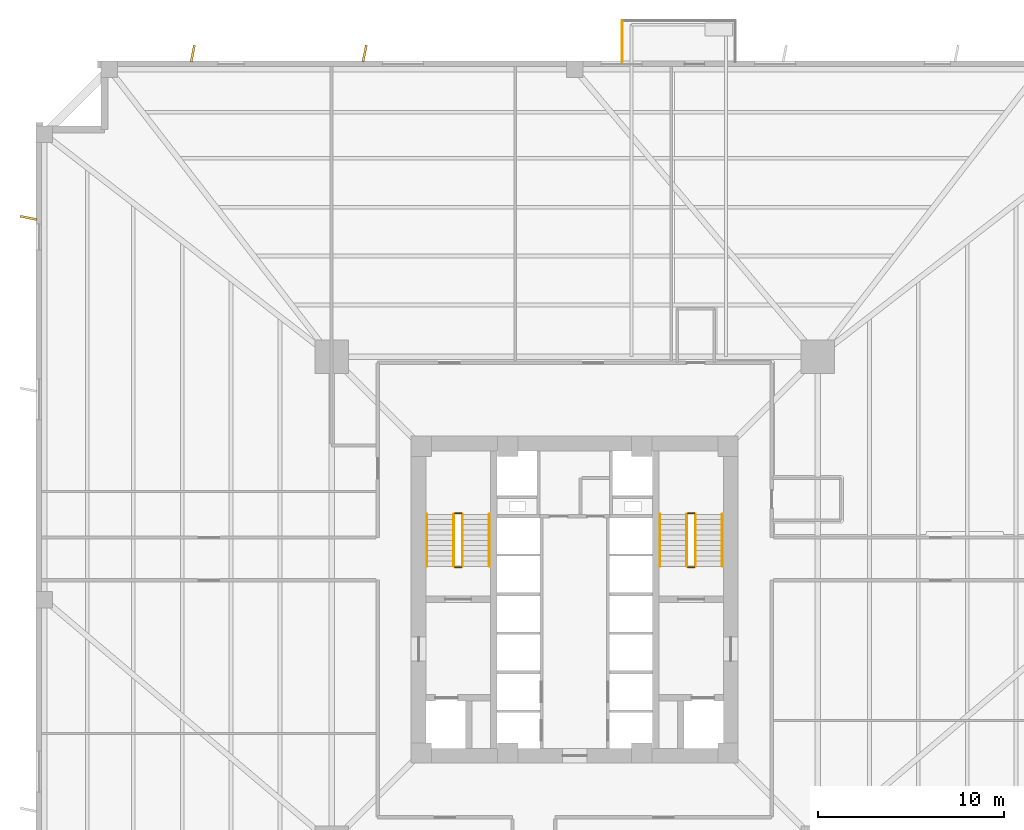
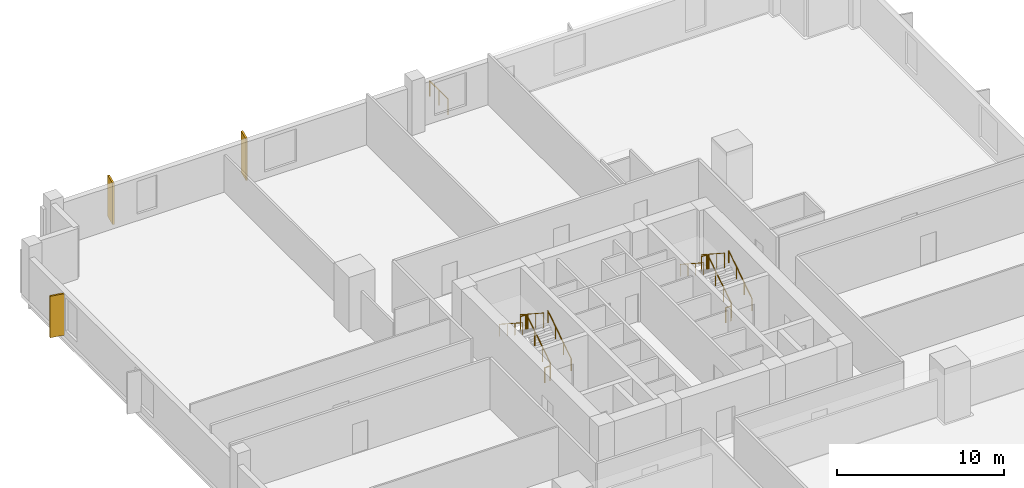
# One storey, part 7 of 8: 13 railings, 3 coverings.
"""IFC4 building model written with IfcOpenShell, lengths in metres."""

from ifc_helpers import new_model, si_unit, direction, frame, origin, origin_2d, place, context, subcontext, project, spatial, rectangle, circle, extrude, source, transform, mapped, material, layer, layer_set, type_object, element, save


model = new_model("IFC4")

# Units and contexts
model_context = context("Model", 3, precision=1e-05, world=origin(), true_north=direction((0.0, 1.0)))
body_context = subcontext(model_context, "Body", "Model", "MODEL_VIEW")
ifc_project = project(units=[si_unit("LENGTHUNIT", "METRE"), si_unit("AREAUNIT", "SQUARE_METRE"), si_unit("VOLUMEUNIT", "CUBIC_METRE"), si_unit("PLANEANGLEUNIT", "RADIAN"), si_unit("MASSUNIT", "GRAM", prefix="KILO"), si_unit("THERMODYNAMICTEMPERATUREUNIT", "KELVIN")], contexts=[model_context])

# Site, building, storey
site_placement = place(None, origin())
site = spatial("IfcSite", under=ifc_project, at=site_placement, CompositionType="ELEMENT")
building_placement = place(site_placement, origin())
building = spatial("IfcBuilding", under=site, at=building_placement, Name="Kosmvard Interchange Tower", CompositionType="ELEMENT")
storey_placement = place(building_placement, frame((0.0, 0.0, 66.0)))
storey = spatial("IfcBuildingStorey", under=building, at=storey_placement, Name="L15", CompositionType="ELEMENT", Elevation=66.0)

# Railing
ifc_material_1 = material(Name="Steel S355", Category="steel")
railing_type_1 = type_object("IfcRailingType", Name="Observation & Balcony Glass-Infill Balustrade 1150", PredefinedType="BALUSTRADE", material=ifc_material_1)
shared_shape_1 = source(origin(), body_context, "Body", "SweptSolid", [
    extrude(circle(Radius=0.02392578125, at=origin_2d()), frame((0.0, 0.0, 1.1259765625), z_axis=(0.0, -1.0, 0.0), x_axis=(1.0, 0.0, 0.0)), (0.0, 0.0, 1.0), 2.199951171875),
    extrude(circle(Radius=0.02099609375, at=origin_2d()), origin(), (0.0, 0.0, 1.0), 1.101806640625),
    extrude(circle(Radius=0.02099609375, at=origin_2d()), frame((0.0, -1.10009765625, 0.0)), (0.0, 0.0, 1.0), 1.101806640625),
    extrude(circle(Radius=0.02099609375, at=origin_2d()), frame((0.0, -2.199951171875, 0.0)), (0.0, 0.0, 1.0), 1.101806640625),
])
railing_placement = place(storey_placement, frame((2.550048828125, 31.14990234375, 0.0)))
element("IfcRailing", 1, at=railing_placement, inside=storey, type_object=railing_type_1, Name="L15 Outdoor Terrace Guard BAL-L15-N-C", PredefinedType="BALUSTRADE", context=body_context, shape_type="MappedRepresentation", body=[
    mapped(shared_shape_1, transform((0.0, 0.0, 0.0), scale=1.0)),
])

# Coverings
ifc_material_2 = material(Name="Architectural anodised aluminium", Category="aluminium")
ifc_layer = layer(ifc_material_2, 0.1201171875, Name="Architectural anodised aluminium")
ifc_layer_set = layer_set([ifc_layer], Name="Architectural anodised aluminium")
covering_type = type_object("IfcCoveringType", Name="Rotating Vertical Sun-Breaker Fin 900x120 Aluminium", PredefinedType="CLADDING", material=ifc_layer_set)
shared_shape_2 = source(origin(), body_context, "Body", "SweptSolid", [
    extrude(rectangle(XDim=0.89990234375, YDim=0.1201171875, at=origin_2d()), origin(), (0.0, 0.0, 1.0), 3.0400390625),
])
for number, where, z_axis, x_axis, name in (
    (2, (-11.3037109375, 29.39990234375, 0.0400390625), (0.0, 0.0, 1.0), (0.199196902256, 0.979959485964, 0.0), "L15 Rotating Vertical Sun-Breaker Fin 11"),
    (3, (-20.552001953125, 29.39990234375, 0.0400390625), (0.0, 0.0, 1.0), (0.199196902256, 0.979959485964, 0.0), "L15 Rotating Vertical Sun-Breaker Fin 12"),
    (4, (-29.39990234375, 20.552001953125, 0.0400390625), (0.0, 0.0, 1.0), (-0.979959485964, 0.199196902256, 0.0), "L15 Rotating Vertical Sun-Breaker Fin 13"),
):
    element("IfcCovering", number, at=place(storey_placement, frame(where, z_axis=z_axis, x_axis=x_axis)), inside=storey, type_object=covering_type, Name=name, PredefinedType="CLADDING", context=body_context, shape_type="MappedRepresentation", body=[
        mapped(shared_shape_2, transform((0.0, 0.0, 0.0), scale=1.0)),
    ])

# Railings
railing_type_2 = type_object("IfcRailingType", Name="Stair & Terrace Safety Guardrail 1100 Steel", PredefinedType="GUARDRAIL", material=ifc_material_1)
shared_shape_3 = source(origin(), body_context, "Body", "SweptSolid", [
    extrude(circle(Radius=0.02392578125, at=origin_2d()), frame((0.0, 0.0, 1.076171875), z_axis=(-1.0, 0.0, 0.0), x_axis=(0.0, -1.0, 0.0)), (0.0, 0.0, 1.0), 0.35986328125),
    extrude(circle(Radius=0.02099609375, at=origin_2d()), origin(), (0.0, 0.0, 1.0), 1.052001953125),
    extrude(circle(Radius=0.02099609375, at=origin_2d()), frame((-0.35986328125, 0.0, 0.0)), (0.0, 0.0, 1.0), 1.052001953125),
])
for number, where, name in (
    (5, (-6.090087890625, 4.64990234375, 2.0), "L15 ST-1 stair guard 2"),
    (6, (-6.090087890625, 1.75, 0.0), "L15 ST-1 stair guard 4"),
    (7, (6.449951171875, 4.64990234375, 2.0), "L15 ST-2 stair guard 2"),
    (8, (6.449951171875, 1.75, 0.0), "L15 ST-2 stair guard 4"),
):
    element("IfcRailing", number, at=place(storey_placement, frame(where)), inside=storey, type_object=railing_type_2, Name=name, PredefinedType="GUARDRAIL", context=body_context, shape_type="MappedRepresentation", body=[
        mapped(shared_shape_3, transform((0.0, 0.0, 0.0), scale=1.0)),
    ])
shared_shape_4 = source(origin(), body_context, "Body", "SweptSolid", [
    extrude(circle(Radius=0.02392578125, at=origin_2d()), frame((0.0, 0.0, 1.076171875), z_axis=(0.0, 0.838705829183, 0.544584733623), x_axis=(-1.0, 0.0, 0.0)), (0.0, 0.0, 1.0), 3.338623046875),
    extrude(circle(Radius=0.02099609375, at=origin_2d()), origin(), (0.0, 0.0, 1.0), 1.052001953125),
    extrude(circle(Radius=0.02099609375, at=origin_2d()), frame((0.0, 0.933349609375, 0.60595703125)), (0.0, 0.0, 1.0), 1.052001953125),
    extrude(circle(Radius=0.02099609375, at=origin_2d()), frame((0.0, 1.86669921875, 1.212158203125)), (0.0, 0.0, 1.0), 1.052001953125),
    extrude(circle(Radius=0.02099609375, at=origin_2d()), frame((0.0, 2.800048828125, 1.818115234375)), (0.0, 0.0, 1.0), 1.052001953125),
])
for number, where, name in (
    (9, (-6.0400390625, 1.800048828125, 0.181884765625), "L15 ST-1 stair guard 1"),
    (10, (6.5, 1.800048828125, 0.181884765625), "L15 ST-2 stair guard 1"),
):
    element("IfcRailing", number, at=place(storey_placement, frame(where)), inside=storey, type_object=railing_type_2, Name=name, PredefinedType="GUARDRAIL", context=body_context, shape_type="MappedRepresentation", body=[
        mapped(shared_shape_4, transform((0.0, 0.0, 0.0), scale=1.0)),
    ])
shared_shape_5 = source(origin(), body_context, "Body", "SweptSolid", [
    extrude(circle(Radius=0.02392578125, at=origin_2d()), frame((0.0, 0.0, 1.076171875), z_axis=(0.0, -0.838705829183, 0.544584733623), x_axis=(1.0, 0.0, 0.0)), (0.0, 0.0, 1.0), 3.338623046875),
    extrude(circle(Radius=0.02099609375, at=origin_2d()), origin(), (0.0, 0.0, 1.0), 1.052001953125),
    extrude(circle(Radius=0.02099609375, at=origin_2d()), frame((0.0, -0.933349609375, 0.60595703125)), (0.0, 0.0, 1.0), 1.052001953125),
    extrude(circle(Radius=0.02099609375, at=origin_2d()), frame((0.0, -1.86669921875, 1.212158203125)), (0.0, 0.0, 1.0), 1.052001953125),
    extrude(circle(Radius=0.02099609375, at=origin_2d()), frame((0.0, -2.800048828125, 1.818115234375)), (0.0, 0.0, 1.0), 1.052001953125),
])
for number, where, name in (
    (11, (-6.5, 4.60009765625, 2.181884765625), "L15 ST-1 stair guard 3"),
    (12, (6.0400390625, 4.60009765625, 2.181884765625), "L15 ST-2 stair guard 3"),
):
    element("IfcRailing", number, at=place(storey_placement, frame(where)), inside=storey, type_object=railing_type_2, Name=name, PredefinedType="GUARDRAIL", context=body_context, shape_type="MappedRepresentation", body=[
        mapped(shared_shape_5, transform((0.0, 0.0, 0.0), scale=1.0)),
    ])
railing_type_3 = type_object("IfcRailingType", Name="Wall-Mounted Stair Handrail 900 Steel", PredefinedType="HANDRAIL", material=ifc_material_1)
shared_shape_6 = source(origin(), body_context, "Body", "SweptSolid", [
    extrude(circle(Radius=0.02392578125, at=origin_2d()), frame((0.0, 0.0, 0.8759765625), z_axis=(0.0, 0.838705829183, 0.544584733623), x_axis=(-1.0, 0.0, 0.0)), (0.0, 0.0, 1.0), 3.338623046875),
    extrude(circle(Radius=0.02099609375, at=origin_2d()), origin(), (0.0, 0.0, 1.0), 0.851806640625),
    extrude(circle(Radius=0.02099609375, at=origin_2d()), frame((0.0, 0.933349609375, 0.60595703125)), (0.0, 0.0, 1.0), 0.851806640625),
    extrude(circle(Radius=0.02099609375, at=origin_2d()), frame((0.0, 1.86669921875, 1.212158203125)), (0.0, 0.0, 1.0), 0.851806640625),
    extrude(circle(Radius=0.02099609375, at=origin_2d()), frame((0.0, 2.800048828125, 1.818115234375)), (0.0, 0.0, 1.0), 0.851806640625),
])
for number, where, name in (
    (13, (-4.590087890625, 1.800048828125, 0.181884765625), "L15 ST-1 stair handrail 1"),
    (14, (7.949951171875, 1.800048828125, 0.181884765625), "L15 ST-2 stair handrail 1"),
):
    element("IfcRailing", number, at=place(storey_placement, frame(where)), inside=storey, type_object=railing_type_3, Name=name, PredefinedType="HANDRAIL", context=body_context, shape_type="MappedRepresentation", body=[
        mapped(shared_shape_6, transform((0.0, 0.0, 0.0), scale=1.0)),
    ])
shared_shape_7 = source(origin(), body_context, "Body", "SweptSolid", [
    extrude(circle(Radius=0.02392578125, at=origin_2d()), frame((0.0, 0.0, 0.8759765625), z_axis=(0.0, -0.838705829183, 0.544584733623), x_axis=(1.0, 0.0, 0.0)), (0.0, 0.0, 1.0), 3.338623046875),
    extrude(circle(Radius=0.02099609375, at=origin_2d()), origin(), (0.0, 0.0, 1.0), 0.851806640625),
    extrude(circle(Radius=0.02099609375, at=origin_2d()), frame((0.0, -0.933349609375, 0.60595703125)), (0.0, 0.0, 1.0), 0.851806640625),
    extrude(circle(Radius=0.02099609375, at=origin_2d()), frame((0.0, -1.86669921875, 1.212158203125)), (0.0, 0.0, 1.0), 0.851806640625),
    extrude(circle(Radius=0.02099609375, at=origin_2d()), frame((0.0, -2.800048828125, 1.818115234375)), (0.0, 0.0, 1.0), 0.851806640625),
])
for number, where, name in (
    (15, (-7.949951171875, 4.60009765625, 2.181884765625), "L15 ST-1 stair handrail 2"),
    (16, (4.590087890625, 4.60009765625, 2.181884765625), "L15 ST-2 stair handrail 2"),
):
    element("IfcRailing", number, at=place(storey_placement, frame(where)), inside=storey, type_object=railing_type_3, Name=name, PredefinedType="HANDRAIL", context=body_context, shape_type="MappedRepresentation", body=[
        mapped(shared_shape_7, transform((0.0, 0.0, 0.0), scale=1.0)),
    ])

save(model, "model.ifc")
